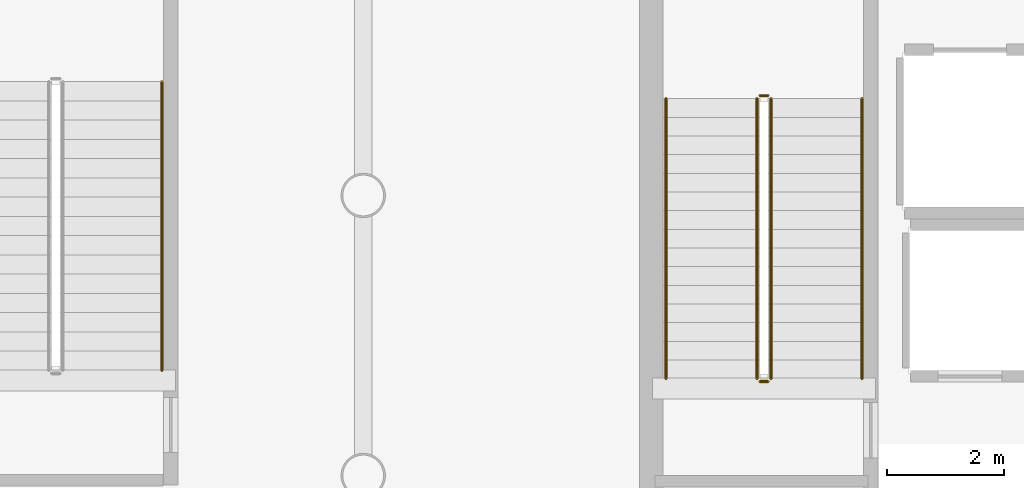
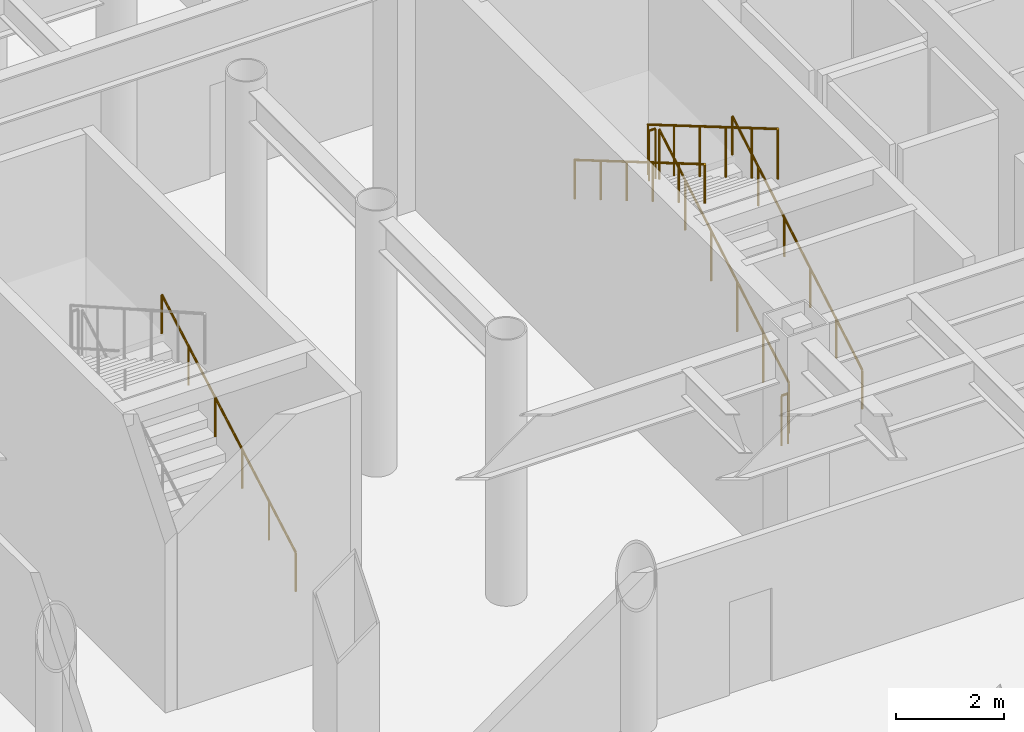
# One storey, part 23 of 26: 7 railings.
"""IFC4 building model written with IfcOpenShell, lengths in metres."""

import ifcopenshell
import ifcopenshell.guid

model = None  # the IFC model being written
_history = None  # IfcOwnerHistory: only IFC2X3 demands one
_inside = {}  # id of a spatial element -> (the spatial element, [elements in it])
_under = {}  # id of a project, library or spatial element -> (it, [spatial elements below it])
_declared = {}  # id of a project -> (the project, [libraries it declares])
_typed = {}  # id of a type object -> (the type object, [elements of that type])
_made_of = {}  # id of a material, layer set ... -> (it, [elements and type objects made of it])


def new_model(schema):
    """Start an empty IFC model of exactly this schema.

    Asked for "IFC4X3", IfcOpenShell would pick the latest addendum, in which some entities
    have other attributes; the version numbers below select the first issue.
    IFC2X3 requires an IfcOwnerHistory on every rooted entity: one is made here for all.
    """
    global model, _history
    if schema == "IFC4X3":
        model = ifcopenshell.file(schema_version=(4, 3, 0, 0))
    else:
        model = ifcopenshell.file(schema=schema)
    _inside.clear()
    _under.clear()
    _declared.clear()
    _typed.clear()
    _made_of.clear()
    _history = None
    if model.schema == "IFC2X3":
        org = make("IfcOrganization", Name="unknown")
        user = make(
            "IfcPersonAndOrganization",
            ThePerson=make("IfcPerson", FamilyName="unknown"),
            TheOrganization=org,
        )
        app = make(
            "IfcApplication",
            ApplicationDeveloper=org,
            Version="unknown",
            ApplicationFullName="unknown",
            ApplicationIdentifier="unknown",
        )
        _history = make(
            "IfcOwnerHistory",
            OwningUser=user,
            OwningApplication=app,
            ChangeAction="ADDED",
            CreationDate=0,
        )
    return model


def make(cls, **values):
    """One entity of the class cls with the attributes given. An attribute that is None is left unset."""
    return model.create_entity(
        cls, **{name: value for name, value in values.items() if value is not None}
    )


def rooted(cls, **values):
    """An entity with a GlobalId (a new one), such as an element, a storey or a relation."""
    return make(cls, GlobalId=ifcopenshell.guid.new(), OwnerHistory=_history, **values)


def si_unit(unit_type, name, prefix=None):
    """IfcSIUnit, for example si_unit("LENGTHUNIT", "METRE", prefix="MILLI")."""
    return make("IfcSIUnit", UnitType=unit_type, Prefix=prefix, Name=name)


def assignment(units):
    """IfcUnitAssignment: the units of a project."""
    return None if units is None else make("IfcUnitAssignment", Units=units)


def point(xyz):
    """IfcCartesianPoint."""
    return None if xyz is None else make("IfcCartesianPoint", Coordinates=xyz)


def direction(xyz):
    """IfcDirection."""
    return None if xyz is None else make("IfcDirection", DirectionRatios=xyz)


def frame(location, z_axis=None, x_axis=None):
    """IfcAxis2Placement3D, a coordinate frame: its origin and axes. An axis left out is left unset."""
    return make(
        "IfcAxis2Placement3D",
        Location=point(location),
        Axis=direction(z_axis),
        RefDirection=direction(x_axis),
    )


def frame_2d(location, x_axis=None):
    """IfcAxis2Placement2D, a coordinate frame in the plane: its origin and x axis."""
    return make(
        "IfcAxis2Placement2D", Location=point(location), RefDirection=direction(x_axis)
    )


def origin():
    """The frame at (0, 0, 0) with its axes left unset."""
    return frame((0.0, 0.0, 0.0))


def origin_2d():
    """The frame at (0, 0) in the plane with its x axis left unset."""
    return frame_2d((0.0, 0.0))


def place(relative_to, where):
    """IfcLocalPlacement: puts the frame where relative to a parent placement (None: the world)."""
    return make(
        "IfcLocalPlacement", PlacementRelTo=relative_to, RelativePlacement=where
    )


def context(
    kind, dimensions, precision=None, world=None, true_north=None, identifier=None
):
    """IfcGeometricRepresentationContext, for example the 3D "Model" context."""
    return make(
        "IfcGeometricRepresentationContext",
        ContextIdentifier=identifier,
        ContextType=kind,
        CoordinateSpaceDimension=dimensions,
        Precision=precision,
        WorldCoordinateSystem=world,
        TrueNorth=true_north,
    )


def subcontext(parent, identifier, kind, view, scale=None):
    """IfcGeometricRepresentationSubContext, for example "Body" below "Model"."""
    return make(
        "IfcGeometricRepresentationSubContext",
        ContextIdentifier=identifier,
        ContextType=kind,
        ParentContext=parent,
        TargetScale=scale,
        TargetView=view,
    )


def project(units=None, contexts=None):
    """IfcProject with its units and contexts."""
    return rooted(
        "IfcProject",
        Name="project",
        RepresentationContexts=contexts,
        UnitsInContext=assignment(units),
    )


def spatial(cls, under=None, at=None, **own):
    """A site, building, storey or space (cls), placed at a placement, below another one or the project."""
    s = rooted(cls, ObjectPlacement=at, **own)
    if under is not None:
        _under.setdefault(under.id(), (under, []))[1].append(s)
    return s


def profile(cls, at=None, kind="AREA", **sizes):
    """A parametric profile (cls). Its sizes go by their IFC names, for example OverallWidth=200.0."""
    return make(cls, ProfileType=kind, Position=at, **sizes)


def circle(**sizes):
    """IfcCircleProfileDef."""
    return profile("IfcCircleProfileDef", **sizes)


def extrude(swept, where, along, depth):
    """IfcExtrudedAreaSolid: the profile swept, set in the frame where, extruded along a direction by depth."""
    return make(
        "IfcExtrudedAreaSolid",
        SweptArea=swept,
        Position=where,
        ExtrudedDirection=direction(along),
        Depth=depth,
    )


def shape(context_of_items, identifier, shape_type, items):
    """IfcShapeRepresentation: the items that make up one representation, for example the "Body"."""
    return make(
        "IfcShapeRepresentation",
        ContextOfItems=context_of_items,
        RepresentationIdentifier=identifier,
        RepresentationType=shape_type,
        Items=items,
    )


def material(Name=None, Category=None):
    """IfcMaterial."""
    return make("IfcMaterial", Name=Name, Category=Category)


def layer(
    of_material, thickness, ventilated=None, Name=None, Category=None, Priority=None
):
    """IfcMaterialLayer: one layer of a wall or slab, of a material (None: an air gap)."""
    return make(
        "IfcMaterialLayer",
        Material=of_material,
        LayerThickness=thickness,
        IsVentilated=ventilated,
        Name=Name,
        Category=Category,
        Priority=Priority,
    )


def layer_set(layers, Name=None):
    """IfcMaterialLayerSet."""
    return make("IfcMaterialLayerSet", MaterialLayers=layers, LayerSetName=Name)


def made_of(thing, what):
    """Note that an element or type object is made of a material, layer set ...; save() writes the relation."""
    if what is not None:
        _made_of.setdefault(what.id(), (what, []))[1].append(thing)
    return thing


def type_object(cls, material=None, **own):
    """A type object (cls), such as IfcWallType, which elements share."""
    return made_of(rooted(cls, **own), material)


def element(
    cls,
    number,
    at=None,
    inside=None,
    cuts=None,
    type_object=None,
    material=None,
    context=None,
    identifier="Body",
    shape_type=None,
    held_by="IfcProductDefinitionShape",
    body=None,
    shapes=None,
    **own,
):
    """One element of the class cls, such as IfcWall. Its Tag is "e" and its number.

    at: its placement. inside: the storey or other place that contains it. cuts: it is an
    opening in that element (IfcRelVoidsElement). A single representation is given by context,
    identifier, shape_type and body (its items); several are given by shapes. held_by: the class
    of the entity that holds the representations. save() writes the other relations.
    """
    e = rooted(cls, Tag="e%d" % number, ObjectPlacement=at, **own)
    if body is not None:
        shapes = [shape(context, identifier, shape_type, body)]
    if shapes is not None:
        e.Representation = make(held_by, Representations=shapes)
    if inside is not None:
        _inside.setdefault(inside.id(), (inside, []))[1].append(e)
    if cuts is not None:
        rooted(
            "IfcRelVoidsElement", RelatingBuildingElement=cuts, RelatedOpeningElement=e
        )
    if type_object is not None:
        _typed.setdefault(type_object.id(), (type_object, []))[1].append(e)
    return made_of(e, material)


def aggregate(whole, parts):
    """IfcRelAggregates: a whole, such as a stair, and the parts it consists of."""
    return rooted("IfcRelAggregates", RelatingObject=whole, RelatedObjects=parts)


def save(model, path):
    """Write the relations noted so far, then the file.

    IfcRelAggregates (storeys below a building ...), IfcRelContainedInSpatialStructure (elements
    in a storey), IfcRelDefinesByType, IfcRelAssociatesMaterial and IfcRelDeclares: one each for
    every whole, place, type object, material and project.
    """
    for whole, parts in _under.values():
        aggregate(whole, parts)
    for where, things in _inside.values():
        rooted(
            "IfcRelContainedInSpatialStructure",
            RelatedElements=things,
            RelatingStructure=where,
        )
    for kind, things in _typed.values():
        rooted("IfcRelDefinesByType", RelatedObjects=things, RelatingType=kind)
    for what, things in _made_of.values():
        rooted("IfcRelAssociatesMaterial", RelatedObjects=things, RelatingMaterial=what)
    for by, libraries in _declared.values():
        rooted("IfcRelDeclares", RelatingContext=by, RelatedDefinitions=libraries)
    model.write(path)


model = new_model("IFC4")

# Units and contexts
model_context = context("Model", 3, precision=1e-05, world=origin(), true_north=direction((0.0, 1.0)))
body_context = subcontext(model_context, "Body", "Model", "MODEL_VIEW")
ifc_project = project(units=[si_unit("LENGTHUNIT", "METRE"), si_unit("AREAUNIT", "SQUARE_METRE"), si_unit("VOLUMEUNIT", "CUBIC_METRE"), si_unit("PLANEANGLEUNIT", "RADIAN"), si_unit("MASSUNIT", "GRAM", prefix="KILO")], contexts=[model_context])

# Site, building, storey
site_placement = place(None, origin())
site = spatial("IfcSite", under=ifc_project, at=site_placement, CompositionType="ELEMENT")
building_placement = place(site_placement, origin())
building = spatial("IfcBuilding", under=site, at=building_placement, Name="Kallvorn Hotel Tower", CompositionType="ELEMENT")
storey_placement = place(building_placement, frame((0.0, 0.0, 6.0)))
storey = spatial("IfcBuildingStorey", under=building, at=storey_placement, Name="L01", CompositionType="ELEMENT", Elevation=6.0)

# Railings
ifc_material_1 = material(Name="Brushed stainless-steel tubular railing", Category="steel")
ifc_layer_1 = layer(ifc_material_1, 0.050048828125)
ifc_layer_set_1 = layer_set([ifc_layer_1], Name="RL_STAIR_GUARD")
railing_type_1 = type_object("IfcRailingType", Name="RL_STAIR_GUARD", PredefinedType="GUARDRAIL", material=ifc_layer_set_1)
railing_1_placement = place(storey_placement, frame((-12.2099609375, -3.139892578125, 0.1875)))
element("IfcRailing", 1, at=railing_1_placement, inside=storey, type_object=railing_type_1, Name="L01 ST1 stair guard 1", PredefinedType="GUARDRAIL", context=body_context, shape_type="SweptSolid", body=[
    extrude(circle(Radius=0.02392578125, at=origin_2d()), frame((0.0, 0.0, 1.1259765625), z_axis=(0.0, 0.862790387251, 0.505561813893), x_axis=(-1.0, 0.0, 0.0)), (0.0, 0.0, 1.0), 5.563232421875),
    extrude(circle(Radius=0.02099609375, at=origin_2d()), origin(), (0.0, 0.0, 1.0), 1.101806640625),
    extrude(circle(Radius=0.02099609375, at=origin_2d()), frame((0.0, 0.9599609375, 0.5625)), (0.0, 0.0, 1.0), 1.101806640625),
    extrude(circle(Radius=0.02099609375, at=origin_2d()), frame((0.0, 1.919921875, 1.125)), (0.0, 0.0, 1.0), 1.101806640625),
    extrude(circle(Radius=0.02099609375, at=origin_2d()), frame((0.0, 2.8798828125, 1.6875)), (0.0, 0.0, 1.0), 1.101806640625),
    extrude(circle(Radius=0.02099609375, at=origin_2d()), frame((0.0, 3.83984375, 2.25)), (0.0, 0.0, 1.0), 1.101806640625),
    extrude(circle(Radius=0.02099609375, at=origin_2d()), frame((0.0, 4.7998046875, 2.8125)), (0.0, 0.0, 1.0), 1.101806640625),
])
railing_2_placement = place(storey_placement, frame((-12.260009765625, 1.7099609375, 3.0)))
element("IfcRailing", 2, at=railing_2_placement, inside=storey, type_object=railing_type_1, Name="L01 ST1 stair guard 2", PredefinedType="GUARDRAIL", context=body_context, shape_type="SweptSolid", body=[
    extrude(circle(Radius=0.02392578125, at=origin_2d()), frame((0.0, 0.0, 1.1259765625), z_axis=(-1.0, 0.0, 0.0), x_axis=(0.0, -1.0, 0.0)), (0.0, 0.0, 1.0), 0.139892578125),
    extrude(circle(Radius=0.02099609375, at=origin_2d()), origin(), (0.0, 0.0, 1.0), 1.101806640625),
    extrude(circle(Radius=0.02099609375, at=origin_2d()), frame((-0.139892578125, 0.0, 0.0)), (0.0, 0.0, 1.0), 1.101806640625),
])
railing_3_placement = place(storey_placement, frame((-12.449951171875, 1.659912109375, 3.1875)))
element("IfcRailing", 3, at=railing_3_placement, inside=storey, type_object=railing_type_1, Name="L01 ST1 stair guard 3", PredefinedType="GUARDRAIL", context=body_context, shape_type="SweptSolid", body=[
    extrude(circle(Radius=0.02392578125, at=origin_2d()), frame((0.0, 0.0, 1.1259765625), z_axis=(0.0, -0.862790387251, 0.505561813893), x_axis=(1.0, 0.0, 0.0)), (0.0, 0.0, 1.0), 5.563232421875),
    extrude(circle(Radius=0.02099609375, at=origin_2d()), origin(), (0.0, 0.0, 1.0), 1.101806640625),
    extrude(circle(Radius=0.02099609375, at=origin_2d()), frame((0.0, -0.9599609375, 0.5625)), (0.0, 0.0, 1.0), 1.101806640625),
    extrude(circle(Radius=0.02099609375, at=origin_2d()), frame((0.0, -1.919921875, 1.125)), (0.0, 0.0, 1.0), 1.101806640625),
    extrude(circle(Radius=0.02099609375, at=origin_2d()), frame((0.0, -2.8798828125, 1.6875)), (0.0, 0.0, 1.0), 1.101806640625),
    extrude(circle(Radius=0.02099609375, at=origin_2d()), frame((0.0, -3.83984375, 2.25)), (0.0, 0.0, 1.0), 1.101806640625),
    extrude(circle(Radius=0.02099609375, at=origin_2d()), frame((0.0, -4.7998046875, 2.8125)), (0.0, 0.0, 1.0), 1.101806640625),
])
railing_4_placement = place(storey_placement, frame((-12.260009765625, -3.18994140625, 0.0)))
element("IfcRailing", 4, at=railing_4_placement, inside=storey, type_object=railing_type_1, Name="L01 ST1 stair guard 4", PredefinedType="GUARDRAIL", context=body_context, shape_type="SweptSolid", body=[
    extrude(circle(Radius=0.02392578125, at=origin_2d()), frame((0.0, 0.0, 1.1259765625), z_axis=(-1.0, 0.0, 0.0), x_axis=(0.0, -1.0, 0.0)), (0.0, 0.0, 1.0), 0.139892578125),
    extrude(circle(Radius=0.02099609375, at=origin_2d()), origin(), (0.0, 0.0, 1.0), 1.101806640625),
    extrude(circle(Radius=0.02099609375, at=origin_2d()), frame((-0.139892578125, 0.0, 0.0)), (0.0, 0.0, 1.0), 1.101806640625),
])
ifc_material_2 = material(Name="Brushed stainless-steel tubular railing", Category="steel")
ifc_layer_2 = layer(ifc_material_2, 0.050048828125)
ifc_layer_set_2 = layer_set([ifc_layer_2], Name="RL_STAIR_HAND")
railing_type_2 = type_object("IfcRailingType", Name="RL_STAIR_HAND", PredefinedType="HANDRAIL", material=ifc_layer_set_2)
railing_5_placement = place(storey_placement, frame((-10.64990234375, -3.139892578125, 0.1875)))
element("IfcRailing", 5, at=railing_5_placement, inside=storey, type_object=railing_type_2, Name="L01 ST1 stair handrail 1", PredefinedType="HANDRAIL", context=body_context, shape_type="SweptSolid", body=[
    extrude(circle(Radius=0.02392578125, at=origin_2d()), frame((0.0, 0.0, 0.8759765625), z_axis=(0.0, 0.862790387251, 0.505561813893), x_axis=(-1.0, 0.0, 0.0)), (0.0, 0.0, 1.0), 5.563232421875),
    extrude(circle(Radius=0.02099609375, at=origin_2d()), origin(), (0.0, 0.0, 1.0), 0.851806640625),
    extrude(circle(Radius=0.02099609375, at=origin_2d()), frame((0.0, 0.9599609375, 0.5625)), (0.0, 0.0, 1.0), 0.851806640625),
    extrude(circle(Radius=0.02099609375, at=origin_2d()), frame((0.0, 1.919921875, 1.125)), (0.0, 0.0, 1.0), 0.851806640625),
    extrude(circle(Radius=0.02099609375, at=origin_2d()), frame((0.0, 2.8798828125, 1.6875)), (0.0, 0.0, 1.0), 0.851806640625),
    extrude(circle(Radius=0.02099609375, at=origin_2d()), frame((0.0, 3.83984375, 2.25)), (0.0, 0.0, 1.0), 0.851806640625),
    extrude(circle(Radius=0.02099609375, at=origin_2d()), frame((0.0, 4.7998046875, 2.8125)), (0.0, 0.0, 1.0), 0.851806640625),
])
railing_6_placement = place(storey_placement, frame((-14.010009765625, 1.659912109375, 3.1875)))
element("IfcRailing", 6, at=railing_6_placement, inside=storey, type_object=railing_type_2, Name="L01 ST1 stair handrail 2", PredefinedType="HANDRAIL", context=body_context, shape_type="SweptSolid", body=[
    extrude(circle(Radius=0.02392578125, at=origin_2d()), frame((0.0, 0.0, 0.8759765625), z_axis=(0.0, -0.862790387251, 0.505561813893), x_axis=(1.0, 0.0, 0.0)), (0.0, 0.0, 1.0), 5.563232421875),
    extrude(circle(Radius=0.02099609375, at=origin_2d()), origin(), (0.0, 0.0, 1.0), 0.851806640625),
    extrude(circle(Radius=0.02099609375, at=origin_2d()), frame((0.0, -0.9599609375, 0.5625)), (0.0, 0.0, 1.0), 0.851806640625),
    extrude(circle(Radius=0.02099609375, at=origin_2d()), frame((0.0, -1.919921875, 1.125)), (0.0, 0.0, 1.0), 0.851806640625),
    extrude(circle(Radius=0.02099609375, at=origin_2d()), frame((0.0, -2.8798828125, 1.6875)), (0.0, 0.0, 1.0), 0.851806640625),
    extrude(circle(Radius=0.02099609375, at=origin_2d()), frame((0.0, -3.83984375, 2.25)), (0.0, 0.0, 1.0), 0.851806640625),
    extrude(circle(Radius=0.02099609375, at=origin_2d()), frame((0.0, -4.7998046875, 2.8125)), (0.0, 0.0, 1.0), 0.851806640625),
])
railing_7_placement = place(storey_placement, frame((-22.64990234375, -3.0, 0.1875)))
element("IfcRailing", 7, at=railing_7_placement, inside=storey, type_object=railing_type_2, Name="L01 ST4 stair handrail 1", PredefinedType="HANDRAIL", context=body_context, shape_type="SweptSolid", body=[
    extrude(circle(Radius=0.02392578125, at=origin_2d()), frame((0.0, 0.0, 0.8759765625), z_axis=(0.0, 0.869454464302, 0.494013091431), x_axis=(-1.0, 0.0, 0.0)), (0.0, 0.0, 1.0), 5.693115234375),
    extrude(circle(Radius=0.02099609375, at=origin_2d()), origin(), (0.0, 0.0, 1.0), 0.851806640625),
    extrude(circle(Radius=0.02099609375, at=origin_2d()), frame((0.0, 0.989990234375, 0.5625)), (0.0, 0.0, 1.0), 0.851806640625),
    extrude(circle(Radius=0.02099609375, at=origin_2d()), frame((0.0, 1.97998046875, 1.125)), (0.0, 0.0, 1.0), 0.851806640625),
    extrude(circle(Radius=0.02099609375, at=origin_2d()), frame((0.0, 2.969970703125, 1.6875)), (0.0, 0.0, 1.0), 0.851806640625),
    extrude(circle(Radius=0.02099609375, at=origin_2d()), frame((0.0, 3.9599609375, 2.25)), (0.0, 0.0, 1.0), 0.851806640625),
    extrude(circle(Radius=0.02099609375, at=origin_2d()), frame((0.0, 4.949951171875, 2.8125)), (0.0, 0.0, 1.0), 0.851806640625),
])

save(model, "model.ifc")
